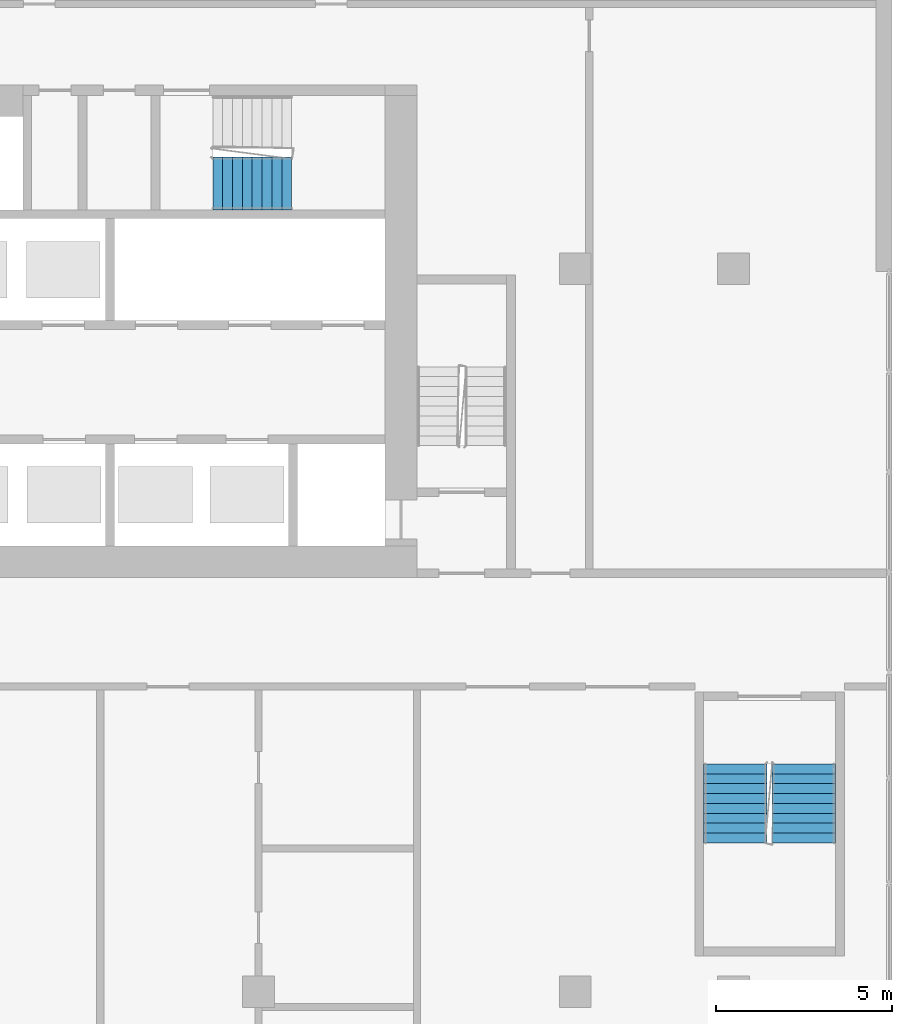
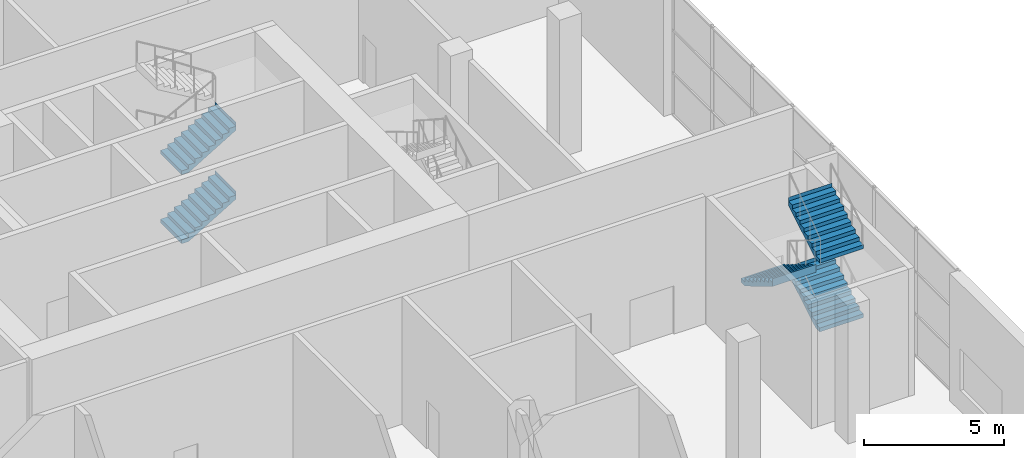
# One storey, part 22 of 27: 5 stair flights, 2 elements without a shape of their own.
"""IFC4 building model written with IfcOpenShell, lengths in metres."""

from ifc_helpers import new_model, si_unit, direction, frame, origin, place, context, subcontext, project, spatial, faceted_brep, material, type_object, element, aggregate, save


model = new_model("IFC4")

# Units and contexts
model_context = context("Model", 3, precision=1e-05, world=origin(), true_north=direction((0.0, 1.0)))
body_context = subcontext(model_context, "Body", "Model", "MODEL_VIEW")
ifc_project = project(units=[si_unit("LENGTHUNIT", "METRE"), si_unit("AREAUNIT", "SQUARE_METRE"), si_unit("VOLUMEUNIT", "CUBIC_METRE"), si_unit("PLANEANGLEUNIT", "RADIAN"), si_unit("MASSUNIT", "GRAM", prefix="KILO")], contexts=[model_context])

# Site, building, storey
site_placement = place(None, origin())
site = spatial("IfcSite", under=ifc_project, at=site_placement, CompositionType="ELEMENT")
building_placement = place(site_placement, origin())
building = spatial("IfcBuilding", under=site, at=building_placement, Name="Kajstack Hotel Tower", CompositionType="ELEMENT")
storey_placement = place(building_placement, frame((0.0, 0.0, 11.0)))
storey = spatial("IfcBuildingStorey", under=building, at=storey_placement, Name="L01", CompositionType="ELEMENT", Elevation=11.0)

# Stair, stair flights
ifc_material = material(Name="Concrete C40/50", Category="concrete")
stair_type_1 = type_object("IfcStairType", Name="Escape stair 1800", PredefinedType="HALF_TURN_STAIR", material=ifc_material)
stair_1_placement = place(storey_placement, origin())
stair_1 = element("IfcStair", 1, at=stair_1_placement, inside=storey, type_object=stair_type_1, Name="L01 stair P2", PredefinedType="HALF_TURN_STAIR")
stair_flight_type_1 = type_object("IfcStairFlightType", Name="Escape stair flight 1800", PredefinedType="STRAIGHT", material=ifc_material)
stair_flight_1_placement = place(storey_placement, frame((42.5, -6.0400390625, 1.5), z_axis=(0.0, 0.0, 1.0), x_axis=(0.0, 1.0, 0.0)))
stair_flight_1 = element("IfcStairFlight", 2, at=stair_flight_1_placement, type_object=stair_flight_type_1, Name="P2 flight 2", NumberOfRisers=9, NumberOfTreads=8, PredefinedType="STRAIGHT", RiserHeight=0.166666667, TreadLength=0.28, context=body_context, shape_type="Brep", body=[
    faceted_brep([(0.29345703125, -0.89990234375, 0.0), (2.240478515625, -0.89990234375, 1.158935546875), (2.240478515625, -0.89990234375, 1.5), (2.239990234375, -0.89990234375, 1.5), (2.239990234375, -0.89990234375, 1.333251953125), (1.9599609375, -0.89990234375, 1.333251953125), (1.9599609375, -0.89990234375, 1.166748046875), (1.679931640625, -0.89990234375, 1.166748046875), (1.679931640625, -0.89990234375, 1.0), (1.39990234375, -0.89990234375, 1.0), (1.39990234375, -0.89990234375, 0.833251953125), (1.1201171875, -0.89990234375, 0.833251953125), (1.1201171875, -0.89990234375, 0.666748046875), (0.840087890625, -0.89990234375, 0.666748046875), (0.840087890625, -0.89990234375, 0.5), (0.56005859375, -0.89990234375, 0.5), (0.56005859375, -0.89990234375, 0.333251953125), (0.280029296875, -0.89990234375, 0.333251953125), (0.280029296875, -0.89990234375, 0.166748046875), (-0.00048828125, -0.89990234375, 0.166748046875), (-0.00048828125, -0.89990234375, 0.0), (-0.00048828125, 0.89990234375, 0.0), (-0.00048828125, 0.89990234375, 0.166748046875), (0.280029296875, 0.89990234375, 0.166748046875), (0.280029296875, 0.89990234375, 0.333251953125), (0.56005859375, 0.89990234375, 0.333251953125), (0.56005859375, 0.89990234375, 0.5), (0.840087890625, 0.89990234375, 0.5), (0.840087890625, 0.89990234375, 0.666748046875), (1.1201171875, 0.89990234375, 0.666748046875), (1.1201171875, 0.89990234375, 0.833251953125), (1.39990234375, 0.89990234375, 0.833251953125), (1.39990234375, 0.89990234375, 1.0), (1.679931640625, 0.89990234375, 1.0), (1.679931640625, 0.89990234375, 1.166748046875), (1.9599609375, 0.89990234375, 1.166748046875), (1.9599609375, 0.89990234375, 1.333251953125), (2.239990234375, 0.89990234375, 1.333251953125), (2.239990234375, 0.89990234375, 1.5), (2.240478515625, 0.89990234375, 1.5), (2.240478515625, 0.89990234375, 1.158935546875), (0.29345703125, 0.89990234375, 0.0), (-0.00048828125, -0.449951171875, 0.166748046875), (-0.00048828125, 0.0, 0.166748046875), (-0.00048828125, 0.449951171875, 0.166748046875), (-0.00048828125, 0.449951171875, 0.0), (-0.00048828125, 0.0, 0.0), (-0.00048828125, -0.449951171875, 0.0), (0.280029296875, -0.449951171875, 0.166748046875), (0.280029296875, 0.0, 0.166748046875), (0.280029296875, 0.449951171875, 0.166748046875), (0.280029296875, -0.449951171875, 0.333251953125), (0.280029296875, 0.0, 0.333251953125), (0.280029296875, 0.449951171875, 0.333251953125), (0.56005859375, -0.449951171875, 0.333251953125), (0.56005859375, 0.0, 0.333251953125), (0.56005859375, 0.449951171875, 0.333251953125), (0.56005859375, -0.449951171875, 0.5), (0.56005859375, 0.0, 0.5), (0.56005859375, 0.449951171875, 0.5), (0.840087890625, -0.449951171875, 0.5), (0.840087890625, 0.0, 0.5), (0.840087890625, 0.449951171875, 0.5), (0.840087890625, -0.449951171875, 0.666748046875), (0.840087890625, 0.0, 0.666748046875), (0.840087890625, 0.449951171875, 0.666748046875), (1.1201171875, -0.449951171875, 0.666748046875), (1.1201171875, 0.0, 0.666748046875), (1.1201171875, 0.449951171875, 0.666748046875), (1.1201171875, -0.449951171875, 0.833251953125), (1.1201171875, 0.0, 0.833251953125), (1.1201171875, 0.449951171875, 0.833251953125), (1.39990234375, -0.449951171875, 0.833251953125), (1.39990234375, 0.0, 0.833251953125), (1.39990234375, 0.449951171875, 0.833251953125), (1.39990234375, -0.449951171875, 1.0), (1.39990234375, 0.0, 1.0), (1.39990234375, 0.449951171875, 1.0), (1.679931640625, -0.449951171875, 1.0), (1.679931640625, 0.0, 1.0), (1.679931640625, 0.449951171875, 1.0), (1.679931640625, -0.449951171875, 1.166748046875), (1.679931640625, 0.0, 1.166748046875), (1.679931640625, 0.449951171875, 1.166748046875), (1.9599609375, -0.449951171875, 1.166748046875), (1.9599609375, 0.0, 1.166748046875), (1.9599609375, 0.449951171875, 1.166748046875), (1.9599609375, -0.449951171875, 1.333251953125), (1.9599609375, 0.0, 1.333251953125), (1.9599609375, 0.449951171875, 1.333251953125), (2.239990234375, -0.449951171875, 1.333251953125), (2.239990234375, 0.0, 1.333251953125), (2.239990234375, 0.449951171875, 1.333251953125), (2.239990234375, -0.449951171875, 1.5), (2.239990234375, 0.0, 1.5), (2.239990234375, 0.449951171875, 1.5), (2.240478515625, -0.449951171875, 1.5), (2.240478515625, 0.0, 1.5), (2.240478515625, 0.449951171875, 1.5), (2.240478515625, -0.449951171875, 1.158935546875), (2.240478515625, 0.0, 1.158935546875), (2.240478515625, 0.449951171875, 1.158935546875), (0.29345703125, -0.449951171875, 0.0), (0.29345703125, 0.0, 0.0), (0.29345703125, 0.449951171875, 0.0)], [[[0, 1, 2, 3, 4, 5, 6, 7, 8, 9, 10, 11, 12, 13, 14, 15, 16, 17, 18, 19, 20]], [[21, 22, 23, 24, 25, 26, 27, 28, 29, 30, 31, 32, 33, 34, 35, 36, 37, 38, 39, 40, 41]], [[19, 42, 43, 44, 22, 21, 45, 46, 47, 20]], [[18, 48, 49, 50, 23, 22, 44, 43, 42, 19]], [[17, 51, 52, 53, 24, 23, 50, 49, 48, 18]], [[16, 54, 55, 56, 25, 24, 53, 52, 51, 17]], [[15, 57, 58, 59, 26, 25, 56, 55, 54, 16]], [[14, 60, 61, 62, 27, 26, 59, 58, 57, 15]], [[13, 63, 64, 65, 28, 27, 62, 61, 60, 14]], [[12, 66, 67, 68, 29, 28, 65, 64, 63, 13]], [[11, 69, 70, 71, 30, 29, 68, 67, 66, 12]], [[10, 72, 73, 74, 31, 30, 71, 70, 69, 11]], [[9, 75, 76, 77, 32, 31, 74, 73, 72, 10]], [[8, 78, 79, 80, 33, 32, 77, 76, 75, 9]], [[7, 81, 82, 83, 34, 33, 80, 79, 78, 8]], [[6, 84, 85, 86, 35, 34, 83, 82, 81, 7]], [[5, 87, 88, 89, 36, 35, 86, 85, 84, 6]], [[4, 90, 91, 92, 37, 36, 89, 88, 87, 5]], [[3, 93, 94, 95, 38, 37, 92, 91, 90, 4]], [[2, 96, 97, 98, 39, 38, 95, 94, 93, 3]], [[1, 99, 100, 101, 40, 39, 98, 97, 96, 2]], [[0, 102, 103, 104, 41, 40, 101, 100, 99, 1]], [[20, 47, 46, 45, 21, 41, 104, 103, 102, 0]]]),
])
stair_flight_2_placement = place(storey_placement, frame((40.550048828125, -3.800048828125, 3.0), z_axis=(0.0, 0.0, 1.0), x_axis=(0.0, -1.0, 0.0)))
stair_flight_2 = element("IfcStairFlight", 3, at=stair_flight_2_placement, type_object=stair_flight_type_1, Name="P2 flight 3", NumberOfRisers=9, NumberOfTreads=8, PredefinedType="STRAIGHT", RiserHeight=0.166666667, TreadLength=0.28, context=body_context, shape_type="Brep", body=[
    faceted_brep([(0.29345703125, -0.89990234375, 0.0), (2.240478515625, -0.89990234375, 1.158935546875), (2.240478515625, -0.89990234375, 1.5), (2.239990234375, -0.89990234375, 1.5), (2.239990234375, -0.89990234375, 1.333251953125), (1.9599609375, -0.89990234375, 1.333251953125), (1.9599609375, -0.89990234375, 1.166748046875), (1.679931640625, -0.89990234375, 1.166748046875), (1.679931640625, -0.89990234375, 1.0), (1.39990234375, -0.89990234375, 1.0), (1.39990234375, -0.89990234375, 0.833251953125), (1.1201171875, -0.89990234375, 0.833251953125), (1.1201171875, -0.89990234375, 0.666748046875), (0.840087890625, -0.89990234375, 0.666748046875), (0.840087890625, -0.89990234375, 0.5), (0.56005859375, -0.89990234375, 0.5), (0.56005859375, -0.89990234375, 0.333251953125), (0.280029296875, -0.89990234375, 0.333251953125), (0.280029296875, -0.89990234375, 0.166748046875), (-0.00048828125, -0.89990234375, 0.166748046875), (-0.00048828125, -0.89990234375, 0.0), (-0.00048828125, 0.89990234375, 0.0), (-0.00048828125, 0.89990234375, 0.166748046875), (0.280029296875, 0.89990234375, 0.166748046875), (0.280029296875, 0.89990234375, 0.333251953125), (0.56005859375, 0.89990234375, 0.333251953125), (0.56005859375, 0.89990234375, 0.5), (0.840087890625, 0.89990234375, 0.5), (0.840087890625, 0.89990234375, 0.666748046875), (1.1201171875, 0.89990234375, 0.666748046875), (1.1201171875, 0.89990234375, 0.833251953125), (1.39990234375, 0.89990234375, 0.833251953125), (1.39990234375, 0.89990234375, 1.0), (1.679931640625, 0.89990234375, 1.0), (1.679931640625, 0.89990234375, 1.166748046875), (1.9599609375, 0.89990234375, 1.166748046875), (1.9599609375, 0.89990234375, 1.333251953125), (2.239990234375, 0.89990234375, 1.333251953125), (2.239990234375, 0.89990234375, 1.5), (2.240478515625, 0.89990234375, 1.5), (2.240478515625, 0.89990234375, 1.158935546875), (0.29345703125, 0.89990234375, 0.0), (-0.00048828125, -0.449951171875, 0.166748046875), (-0.00048828125, 0.0, 0.166748046875), (-0.00048828125, 0.449951171875, 0.166748046875), (-0.00048828125, 0.449951171875, 0.0), (-0.00048828125, 0.0, 0.0), (-0.00048828125, -0.449951171875, 0.0), (0.280029296875, -0.449951171875, 0.166748046875), (0.280029296875, 0.0, 0.166748046875), (0.280029296875, 0.449951171875, 0.166748046875), (0.280029296875, -0.449951171875, 0.333251953125), (0.280029296875, 0.0, 0.333251953125), (0.280029296875, 0.449951171875, 0.333251953125), (0.56005859375, -0.449951171875, 0.333251953125), (0.56005859375, 0.0, 0.333251953125), (0.56005859375, 0.449951171875, 0.333251953125), (0.56005859375, -0.449951171875, 0.5), (0.56005859375, 0.0, 0.5), (0.56005859375, 0.449951171875, 0.5), (0.840087890625, -0.449951171875, 0.5), (0.840087890625, 0.0, 0.5), (0.840087890625, 0.449951171875, 0.5), (0.840087890625, -0.449951171875, 0.666748046875), (0.840087890625, 0.0, 0.666748046875), (0.840087890625, 0.449951171875, 0.666748046875), (1.1201171875, -0.449951171875, 0.666748046875), (1.1201171875, 0.0, 0.666748046875), (1.1201171875, 0.449951171875, 0.666748046875), (1.1201171875, -0.449951171875, 0.833251953125), (1.1201171875, 0.0, 0.833251953125), (1.1201171875, 0.449951171875, 0.833251953125), (1.39990234375, -0.449951171875, 0.833251953125), (1.39990234375, 0.0, 0.833251953125), (1.39990234375, 0.449951171875, 0.833251953125), (1.39990234375, -0.449951171875, 1.0), (1.39990234375, 0.0, 1.0), (1.39990234375, 0.449951171875, 1.0), (1.679931640625, -0.449951171875, 1.0), (1.679931640625, 0.0, 1.0), (1.679931640625, 0.449951171875, 1.0), (1.679931640625, -0.449951171875, 1.166748046875), (1.679931640625, 0.0, 1.166748046875), (1.679931640625, 0.449951171875, 1.166748046875), (1.9599609375, -0.449951171875, 1.166748046875), (1.9599609375, 0.0, 1.166748046875), (1.9599609375, 0.449951171875, 1.166748046875), (1.9599609375, -0.449951171875, 1.333251953125), (1.9599609375, 0.0, 1.333251953125), (1.9599609375, 0.449951171875, 1.333251953125), (2.239990234375, -0.449951171875, 1.333251953125), (2.239990234375, 0.0, 1.333251953125), (2.239990234375, 0.449951171875, 1.333251953125), (2.239990234375, -0.449951171875, 1.5), (2.239990234375, 0.0, 1.5), (2.239990234375, 0.449951171875, 1.5), (2.240478515625, -0.449951171875, 1.5), (2.240478515625, 0.0, 1.5), (2.240478515625, 0.449951171875, 1.5), (2.240478515625, -0.449951171875, 1.158935546875), (2.240478515625, 0.0, 1.158935546875), (2.240478515625, 0.449951171875, 1.158935546875), (0.29345703125, -0.449951171875, 0.0), (0.29345703125, 0.0, 0.0), (0.29345703125, 0.449951171875, 0.0)], [[[0, 1, 2, 3, 4, 5, 6, 7, 8, 9, 10, 11, 12, 13, 14, 15, 16, 17, 18, 19, 20]], [[21, 22, 23, 24, 25, 26, 27, 28, 29, 30, 31, 32, 33, 34, 35, 36, 37, 38, 39, 40, 41]], [[19, 42, 43, 44, 22, 21, 45, 46, 47, 20]], [[18, 48, 49, 50, 23, 22, 44, 43, 42, 19]], [[17, 51, 52, 53, 24, 23, 50, 49, 48, 18]], [[16, 54, 55, 56, 25, 24, 53, 52, 51, 17]], [[15, 57, 58, 59, 26, 25, 56, 55, 54, 16]], [[14, 60, 61, 62, 27, 26, 59, 58, 57, 15]], [[13, 63, 64, 65, 28, 27, 62, 61, 60, 14]], [[12, 66, 67, 68, 29, 28, 65, 64, 63, 13]], [[11, 69, 70, 71, 30, 29, 68, 67, 66, 12]], [[10, 72, 73, 74, 31, 30, 71, 70, 69, 11]], [[9, 75, 76, 77, 32, 31, 74, 73, 72, 10]], [[8, 78, 79, 80, 33, 32, 77, 76, 75, 9]], [[7, 81, 82, 83, 34, 33, 80, 79, 78, 8]], [[6, 84, 85, 86, 35, 34, 83, 82, 81, 7]], [[5, 87, 88, 89, 36, 35, 86, 85, 84, 6]], [[4, 90, 91, 92, 37, 36, 89, 88, 87, 5]], [[3, 93, 94, 95, 38, 37, 92, 91, 90, 4]], [[2, 96, 97, 98, 39, 38, 95, 94, 93, 3]], [[1, 99, 100, 101, 40, 39, 98, 97, 96, 2]], [[0, 102, 103, 104, 41, 40, 101, 100, 99, 1]], [[20, 47, 46, 45, 21, 41, 104, 103, 102, 0]]]),
])
stair_flight_3_placement = place(storey_placement, frame((42.5, -6.0400390625, 4.5), z_axis=(0.0, 0.0, 1.0), x_axis=(0.0, 1.0, 0.0)))
stair_flight_3 = element("IfcStairFlight", 4, at=stair_flight_3_placement, type_object=stair_flight_type_1, Name="P2 flight 4", NumberOfRisers=9, NumberOfTreads=8, PredefinedType="STRAIGHT", RiserHeight=0.166666667, TreadLength=0.28, context=body_context, shape_type="Brep", body=[
    faceted_brep([(0.29345703125, -0.89990234375, 0.0), (2.240478515625, -0.89990234375, 1.158935546875), (2.240478515625, -0.89990234375, 1.5), (2.239990234375, -0.89990234375, 1.5), (2.239990234375, -0.89990234375, 1.333251953125), (1.9599609375, -0.89990234375, 1.333251953125), (1.9599609375, -0.89990234375, 1.166748046875), (1.679931640625, -0.89990234375, 1.166748046875), (1.679931640625, -0.89990234375, 1.0), (1.39990234375, -0.89990234375, 1.0), (1.39990234375, -0.89990234375, 0.833251953125), (1.1201171875, -0.89990234375, 0.833251953125), (1.1201171875, -0.89990234375, 0.666748046875), (0.840087890625, -0.89990234375, 0.666748046875), (0.840087890625, -0.89990234375, 0.5), (0.56005859375, -0.89990234375, 0.5), (0.56005859375, -0.89990234375, 0.333251953125), (0.280029296875, -0.89990234375, 0.333251953125), (0.280029296875, -0.89990234375, 0.166748046875), (-0.00048828125, -0.89990234375, 0.166748046875), (-0.00048828125, -0.89990234375, 0.0), (-0.00048828125, 0.89990234375, 0.0), (-0.00048828125, 0.89990234375, 0.166748046875), (0.280029296875, 0.89990234375, 0.166748046875), (0.280029296875, 0.89990234375, 0.333251953125), (0.56005859375, 0.89990234375, 0.333251953125), (0.56005859375, 0.89990234375, 0.5), (0.840087890625, 0.89990234375, 0.5), (0.840087890625, 0.89990234375, 0.666748046875), (1.1201171875, 0.89990234375, 0.666748046875), (1.1201171875, 0.89990234375, 0.833251953125), (1.39990234375, 0.89990234375, 0.833251953125), (1.39990234375, 0.89990234375, 1.0), (1.679931640625, 0.89990234375, 1.0), (1.679931640625, 0.89990234375, 1.166748046875), (1.9599609375, 0.89990234375, 1.166748046875), (1.9599609375, 0.89990234375, 1.333251953125), (2.239990234375, 0.89990234375, 1.333251953125), (2.239990234375, 0.89990234375, 1.5), (2.240478515625, 0.89990234375, 1.5), (2.240478515625, 0.89990234375, 1.158935546875), (0.29345703125, 0.89990234375, 0.0), (-0.00048828125, -0.449951171875, 0.166748046875), (-0.00048828125, 0.0, 0.166748046875), (-0.00048828125, 0.449951171875, 0.166748046875), (-0.00048828125, 0.449951171875, 0.0), (-0.00048828125, 0.0, 0.0), (-0.00048828125, -0.449951171875, 0.0), (0.280029296875, -0.449951171875, 0.166748046875), (0.280029296875, 0.0, 0.166748046875), (0.280029296875, 0.449951171875, 0.166748046875), (0.280029296875, -0.449951171875, 0.333251953125), (0.280029296875, 0.0, 0.333251953125), (0.280029296875, 0.449951171875, 0.333251953125), (0.56005859375, -0.449951171875, 0.333251953125), (0.56005859375, 0.0, 0.333251953125), (0.56005859375, 0.449951171875, 0.333251953125), (0.56005859375, -0.449951171875, 0.5), (0.56005859375, 0.0, 0.5), (0.56005859375, 0.449951171875, 0.5), (0.840087890625, -0.449951171875, 0.5), (0.840087890625, 0.0, 0.5), (0.840087890625, 0.449951171875, 0.5), (0.840087890625, -0.449951171875, 0.666748046875), (0.840087890625, 0.0, 0.666748046875), (0.840087890625, 0.449951171875, 0.666748046875), (1.1201171875, -0.449951171875, 0.666748046875), (1.1201171875, 0.0, 0.666748046875), (1.1201171875, 0.449951171875, 0.666748046875), (1.1201171875, -0.449951171875, 0.833251953125), (1.1201171875, 0.0, 0.833251953125), (1.1201171875, 0.449951171875, 0.833251953125), (1.39990234375, -0.449951171875, 0.833251953125), (1.39990234375, 0.0, 0.833251953125), (1.39990234375, 0.449951171875, 0.833251953125), (1.39990234375, -0.449951171875, 1.0), (1.39990234375, 0.0, 1.0), (1.39990234375, 0.449951171875, 1.0), (1.679931640625, -0.449951171875, 1.0), (1.679931640625, 0.0, 1.0), (1.679931640625, 0.449951171875, 1.0), (1.679931640625, -0.449951171875, 1.166748046875), (1.679931640625, 0.0, 1.166748046875), (1.679931640625, 0.449951171875, 1.166748046875), (1.9599609375, -0.449951171875, 1.166748046875), (1.9599609375, 0.0, 1.166748046875), (1.9599609375, 0.449951171875, 1.166748046875), (1.9599609375, -0.449951171875, 1.333251953125), (1.9599609375, 0.0, 1.333251953125), (1.9599609375, 0.449951171875, 1.333251953125), (2.239990234375, -0.449951171875, 1.333251953125), (2.239990234375, 0.0, 1.333251953125), (2.239990234375, 0.449951171875, 1.333251953125), (2.239990234375, -0.449951171875, 1.5), (2.239990234375, 0.0, 1.5), (2.239990234375, 0.449951171875, 1.5), (2.240478515625, -0.449951171875, 1.5), (2.240478515625, 0.0, 1.5), (2.240478515625, 0.449951171875, 1.5), (2.240478515625, -0.449951171875, 1.158935546875), (2.240478515625, 0.0, 1.158935546875), (2.240478515625, 0.449951171875, 1.158935546875), (0.29345703125, -0.449951171875, 0.0), (0.29345703125, 0.0, 0.0), (0.29345703125, 0.449951171875, 0.0)], [[[0, 1, 2, 3, 4, 5, 6, 7, 8, 9, 10, 11, 12, 13, 14, 15, 16, 17, 18, 19, 20]], [[21, 22, 23, 24, 25, 26, 27, 28, 29, 30, 31, 32, 33, 34, 35, 36, 37, 38, 39, 40, 41]], [[19, 42, 43, 44, 22, 21, 45, 46, 47, 20]], [[18, 48, 49, 50, 23, 22, 44, 43, 42, 19]], [[17, 51, 52, 53, 24, 23, 50, 49, 48, 18]], [[16, 54, 55, 56, 25, 24, 53, 52, 51, 17]], [[15, 57, 58, 59, 26, 25, 56, 55, 54, 16]], [[14, 60, 61, 62, 27, 26, 59, 58, 57, 15]], [[13, 63, 64, 65, 28, 27, 62, 61, 60, 14]], [[12, 66, 67, 68, 29, 28, 65, 64, 63, 13]], [[11, 69, 70, 71, 30, 29, 68, 67, 66, 12]], [[10, 72, 73, 74, 31, 30, 71, 70, 69, 11]], [[9, 75, 76, 77, 32, 31, 74, 73, 72, 10]], [[8, 78, 79, 80, 33, 32, 77, 76, 75, 9]], [[7, 81, 82, 83, 34, 33, 80, 79, 78, 8]], [[6, 84, 85, 86, 35, 34, 83, 82, 81, 7]], [[5, 87, 88, 89, 36, 35, 86, 85, 84, 6]], [[4, 90, 91, 92, 37, 36, 89, 88, 87, 5]], [[3, 93, 94, 95, 38, 37, 92, 91, 90, 4]], [[2, 96, 97, 98, 39, 38, 95, 94, 93, 3]], [[1, 99, 100, 101, 40, 39, 98, 97, 96, 2]], [[0, 102, 103, 104, 41, 40, 101, 100, 99, 1]], [[20, 47, 46, 45, 21, 41, 104, 103, 102, 0]]]),
])
aggregate(stair_1, [stair_flight_1, stair_flight_2, stair_flight_3])

stair_type_2 = type_object("IfcStairType", Name="Exit stair 1500", PredefinedType="HALF_TURN_STAIR", material=ifc_material)
stair_2_placement = place(storey_placement, origin())
stair_2 = element("IfcStair", 5, at=stair_2_placement, inside=storey, type_object=stair_type_2, Name="L01 stair E3", PredefinedType="HALF_TURN_STAIR")
stair_flight_type_2 = type_object("IfcStairFlightType", Name="Exit stair flight 1500", PredefinedType="STRAIGHT", material=ifc_material)
stair_flight_4_placement = place(storey_placement, frame((25.699951171875, 12.699951171875, 0.0), z_axis=(0.0, 0.0, 1.0), x_axis=(1.0, 0.0, 0.0)))
stair_flight_4 = element("IfcStairFlight", 6, at=stair_flight_4_placement, type_object=stair_flight_type_2, Name="E3 flight 1", NumberOfRisers=9, NumberOfTreads=8, PredefinedType="STRAIGHT", RiserHeight=0.166666667, TreadLength=0.28, context=body_context, shape_type="Brep", body=[
    faceted_brep([(0.29345703125, -0.75, 0.0), (2.240478515625, -0.75, 1.158935546875), (2.240478515625, -0.75, 1.5), (2.239990234375, -0.75, 1.5), (2.239990234375, -0.75, 1.333251953125), (1.9599609375, -0.75, 1.333251953125), (1.9599609375, -0.75, 1.166748046875), (1.679931640625, -0.75, 1.166748046875), (1.679931640625, -0.75, 1.0), (1.39990234375, -0.75, 1.0), (1.39990234375, -0.75, 0.833251953125), (1.1201171875, -0.75, 0.833251953125), (1.1201171875, -0.75, 0.666748046875), (0.840087890625, -0.75, 0.666748046875), (0.840087890625, -0.75, 0.5), (0.56005859375, -0.75, 0.5), (0.56005859375, -0.75, 0.333251953125), (0.280029296875, -0.75, 0.333251953125), (0.280029296875, -0.75, 0.166748046875), (-0.00048828125, -0.75, 0.166748046875), (-0.00048828125, -0.75, 0.0), (-0.00048828125, 0.75, 0.0), (-0.00048828125, 0.75, 0.166748046875), (0.280029296875, 0.75, 0.166748046875), (0.280029296875, 0.75, 0.333251953125), (0.56005859375, 0.75, 0.333251953125), (0.56005859375, 0.75, 0.5), (0.840087890625, 0.75, 0.5), (0.840087890625, 0.75, 0.666748046875), (1.1201171875, 0.75, 0.666748046875), (1.1201171875, 0.75, 0.833251953125), (1.39990234375, 0.75, 0.833251953125), (1.39990234375, 0.75, 1.0), (1.679931640625, 0.75, 1.0), (1.679931640625, 0.75, 1.166748046875), (1.9599609375, 0.75, 1.166748046875), (1.9599609375, 0.75, 1.333251953125), (2.239990234375, 0.75, 1.333251953125), (2.239990234375, 0.75, 1.5), (2.240478515625, 0.75, 1.5), (2.240478515625, 0.75, 1.158935546875), (0.29345703125, 0.75, 0.0), (-0.00048828125, -0.375, 0.166748046875), (-0.00048828125, 0.0, 0.166748046875), (-0.00048828125, 0.375, 0.166748046875), (-0.00048828125, 0.375, 0.0), (-0.00048828125, 0.0, 0.0), (-0.00048828125, -0.375, 0.0), (0.280029296875, -0.375, 0.166748046875), (0.280029296875, 0.0, 0.166748046875), (0.280029296875, 0.375, 0.166748046875), (0.280029296875, -0.375, 0.333251953125), (0.280029296875, 0.0, 0.333251953125), (0.280029296875, 0.375, 0.333251953125), (0.56005859375, -0.375, 0.333251953125), (0.56005859375, 0.0, 0.333251953125), (0.56005859375, 0.375, 0.333251953125), (0.56005859375, -0.375, 0.5), (0.56005859375, 0.0, 0.5), (0.56005859375, 0.375, 0.5), (0.840087890625, -0.375, 0.5), (0.840087890625, 0.0, 0.5), (0.840087890625, 0.375, 0.5), (0.840087890625, -0.375, 0.666748046875), (0.840087890625, 0.0, 0.666748046875), (0.840087890625, 0.375, 0.666748046875), (1.1201171875, -0.375, 0.666748046875), (1.1201171875, 0.0, 0.666748046875), (1.1201171875, 0.375, 0.666748046875), (1.1201171875, -0.375, 0.833251953125), (1.1201171875, 0.0, 0.833251953125), (1.1201171875, 0.375, 0.833251953125), (1.39990234375, -0.375, 0.833251953125), (1.39990234375, 0.0, 0.833251953125), (1.39990234375, 0.375, 0.833251953125), (1.39990234375, -0.375, 1.0), (1.39990234375, 0.0, 1.0), (1.39990234375, 0.375, 1.0), (1.679931640625, -0.375, 1.0), (1.679931640625, 0.0, 1.0), (1.679931640625, 0.375, 1.0), (1.679931640625, -0.375, 1.166748046875), (1.679931640625, 0.0, 1.166748046875), (1.679931640625, 0.375, 1.166748046875), (1.9599609375, -0.375, 1.166748046875), (1.9599609375, 0.0, 1.166748046875), (1.9599609375, 0.375, 1.166748046875), (1.9599609375, -0.375, 1.333251953125), (1.9599609375, 0.0, 1.333251953125), (1.9599609375, 0.375, 1.333251953125), (2.239990234375, -0.375, 1.333251953125), (2.239990234375, 0.0, 1.333251953125), (2.239990234375, 0.375, 1.333251953125), (2.239990234375, -0.375, 1.5), (2.239990234375, 0.0, 1.5), (2.239990234375, 0.375, 1.5), (2.240478515625, -0.375, 1.5), (2.240478515625, 0.0, 1.5), (2.240478515625, 0.375, 1.5), (2.240478515625, -0.375, 1.158935546875), (2.240478515625, 0.0, 1.158935546875), (2.240478515625, 0.375, 1.158935546875), (0.29345703125, -0.375, 0.0), (0.29345703125, 0.0, 0.0), (0.29345703125, 0.375, 0.0)], [[[0, 1, 2, 3, 4, 5, 6, 7, 8, 9, 10, 11, 12, 13, 14, 15, 16, 17, 18, 19, 20]], [[21, 22, 23, 24, 25, 26, 27, 28, 29, 30, 31, 32, 33, 34, 35, 36, 37, 38, 39, 40, 41]], [[19, 42, 43, 44, 22, 21, 45, 46, 47, 20]], [[18, 48, 49, 50, 23, 22, 44, 43, 42, 19]], [[17, 51, 52, 53, 24, 23, 50, 49, 48, 18]], [[16, 54, 55, 56, 25, 24, 53, 52, 51, 17]], [[15, 57, 58, 59, 26, 25, 56, 55, 54, 16]], [[14, 60, 61, 62, 27, 26, 59, 58, 57, 15]], [[13, 63, 64, 65, 28, 27, 62, 61, 60, 14]], [[12, 66, 67, 68, 29, 28, 65, 64, 63, 13]], [[11, 69, 70, 71, 30, 29, 68, 67, 66, 12]], [[10, 72, 73, 74, 31, 30, 71, 70, 69, 11]], [[9, 75, 76, 77, 32, 31, 74, 73, 72, 10]], [[8, 78, 79, 80, 33, 32, 77, 76, 75, 9]], [[7, 81, 82, 83, 34, 33, 80, 79, 78, 8]], [[6, 84, 85, 86, 35, 34, 83, 82, 81, 7]], [[5, 87, 88, 89, 36, 35, 86, 85, 84, 6]], [[4, 90, 91, 92, 37, 36, 89, 88, 87, 5]], [[3, 93, 94, 95, 38, 37, 92, 91, 90, 4]], [[2, 96, 97, 98, 39, 38, 95, 94, 93, 3]], [[1, 99, 100, 101, 40, 39, 98, 97, 96, 2]], [[0, 102, 103, 104, 41, 40, 101, 100, 99, 1]], [[20, 47, 46, 45, 21, 41, 104, 103, 102, 0]]]),
])
stair_flight_5_placement = place(storey_placement, frame((25.699951171875, 12.699951171875, 3.0), z_axis=(0.0, 0.0, 1.0), x_axis=(1.0, 0.0, 0.0)))
stair_flight_5 = element("IfcStairFlight", 7, at=stair_flight_5_placement, type_object=stair_flight_type_2, Name="E3 flight 3", NumberOfRisers=9, NumberOfTreads=8, PredefinedType="STRAIGHT", RiserHeight=0.166666667, TreadLength=0.28, context=body_context, shape_type="Brep", body=[
    faceted_brep([(0.29345703125, -0.75, 0.0), (2.240478515625, -0.75, 1.158935546875), (2.240478515625, -0.75, 1.5), (2.239990234375, -0.75, 1.5), (2.239990234375, -0.75, 1.333251953125), (1.9599609375, -0.75, 1.333251953125), (1.9599609375, -0.75, 1.166748046875), (1.679931640625, -0.75, 1.166748046875), (1.679931640625, -0.75, 1.0), (1.39990234375, -0.75, 1.0), (1.39990234375, -0.75, 0.833251953125), (1.1201171875, -0.75, 0.833251953125), (1.1201171875, -0.75, 0.666748046875), (0.840087890625, -0.75, 0.666748046875), (0.840087890625, -0.75, 0.5), (0.56005859375, -0.75, 0.5), (0.56005859375, -0.75, 0.333251953125), (0.280029296875, -0.75, 0.333251953125), (0.280029296875, -0.75, 0.166748046875), (-0.00048828125, -0.75, 0.166748046875), (-0.00048828125, -0.75, 0.0), (-0.00048828125, 0.75, 0.0), (-0.00048828125, 0.75, 0.166748046875), (0.280029296875, 0.75, 0.166748046875), (0.280029296875, 0.75, 0.333251953125), (0.56005859375, 0.75, 0.333251953125), (0.56005859375, 0.75, 0.5), (0.840087890625, 0.75, 0.5), (0.840087890625, 0.75, 0.666748046875), (1.1201171875, 0.75, 0.666748046875), (1.1201171875, 0.75, 0.833251953125), (1.39990234375, 0.75, 0.833251953125), (1.39990234375, 0.75, 1.0), (1.679931640625, 0.75, 1.0), (1.679931640625, 0.75, 1.166748046875), (1.9599609375, 0.75, 1.166748046875), (1.9599609375, 0.75, 1.333251953125), (2.239990234375, 0.75, 1.333251953125), (2.239990234375, 0.75, 1.5), (2.240478515625, 0.75, 1.5), (2.240478515625, 0.75, 1.158935546875), (0.29345703125, 0.75, 0.0), (-0.00048828125, -0.375, 0.166748046875), (-0.00048828125, 0.0, 0.166748046875), (-0.00048828125, 0.375, 0.166748046875), (-0.00048828125, 0.375, 0.0), (-0.00048828125, 0.0, 0.0), (-0.00048828125, -0.375, 0.0), (0.280029296875, -0.375, 0.166748046875), (0.280029296875, 0.0, 0.166748046875), (0.280029296875, 0.375, 0.166748046875), (0.280029296875, -0.375, 0.333251953125), (0.280029296875, 0.0, 0.333251953125), (0.280029296875, 0.375, 0.333251953125), (0.56005859375, -0.375, 0.333251953125), (0.56005859375, 0.0, 0.333251953125), (0.56005859375, 0.375, 0.333251953125), (0.56005859375, -0.375, 0.5), (0.56005859375, 0.0, 0.5), (0.56005859375, 0.375, 0.5), (0.840087890625, -0.375, 0.5), (0.840087890625, 0.0, 0.5), (0.840087890625, 0.375, 0.5), (0.840087890625, -0.375, 0.666748046875), (0.840087890625, 0.0, 0.666748046875), (0.840087890625, 0.375, 0.666748046875), (1.1201171875, -0.375, 0.666748046875), (1.1201171875, 0.0, 0.666748046875), (1.1201171875, 0.375, 0.666748046875), (1.1201171875, -0.375, 0.833251953125), (1.1201171875, 0.0, 0.833251953125), (1.1201171875, 0.375, 0.833251953125), (1.39990234375, -0.375, 0.833251953125), (1.39990234375, 0.0, 0.833251953125), (1.39990234375, 0.375, 0.833251953125), (1.39990234375, -0.375, 1.0), (1.39990234375, 0.0, 1.0), (1.39990234375, 0.375, 1.0), (1.679931640625, -0.375, 1.0), (1.679931640625, 0.0, 1.0), (1.679931640625, 0.375, 1.0), (1.679931640625, -0.375, 1.166748046875), (1.679931640625, 0.0, 1.166748046875), (1.679931640625, 0.375, 1.166748046875), (1.9599609375, -0.375, 1.166748046875), (1.9599609375, 0.0, 1.166748046875), (1.9599609375, 0.375, 1.166748046875), (1.9599609375, -0.375, 1.333251953125), (1.9599609375, 0.0, 1.333251953125), (1.9599609375, 0.375, 1.333251953125), (2.239990234375, -0.375, 1.333251953125), (2.239990234375, 0.0, 1.333251953125), (2.239990234375, 0.375, 1.333251953125), (2.239990234375, -0.375, 1.5), (2.239990234375, 0.0, 1.5), (2.239990234375, 0.375, 1.5), (2.240478515625, -0.375, 1.5), (2.240478515625, 0.0, 1.5), (2.240478515625, 0.375, 1.5), (2.240478515625, -0.375, 1.158935546875), (2.240478515625, 0.0, 1.158935546875), (2.240478515625, 0.375, 1.158935546875), (0.29345703125, -0.375, 0.0), (0.29345703125, 0.0, 0.0), (0.29345703125, 0.375, 0.0)], [[[0, 1, 2, 3, 4, 5, 6, 7, 8, 9, 10, 11, 12, 13, 14, 15, 16, 17, 18, 19, 20]], [[21, 22, 23, 24, 25, 26, 27, 28, 29, 30, 31, 32, 33, 34, 35, 36, 37, 38, 39, 40, 41]], [[19, 42, 43, 44, 22, 21, 45, 46, 47, 20]], [[18, 48, 49, 50, 23, 22, 44, 43, 42, 19]], [[17, 51, 52, 53, 24, 23, 50, 49, 48, 18]], [[16, 54, 55, 56, 25, 24, 53, 52, 51, 17]], [[15, 57, 58, 59, 26, 25, 56, 55, 54, 16]], [[14, 60, 61, 62, 27, 26, 59, 58, 57, 15]], [[13, 63, 64, 65, 28, 27, 62, 61, 60, 14]], [[12, 66, 67, 68, 29, 28, 65, 64, 63, 13]], [[11, 69, 70, 71, 30, 29, 68, 67, 66, 12]], [[10, 72, 73, 74, 31, 30, 71, 70, 69, 11]], [[9, 75, 76, 77, 32, 31, 74, 73, 72, 10]], [[8, 78, 79, 80, 33, 32, 77, 76, 75, 9]], [[7, 81, 82, 83, 34, 33, 80, 79, 78, 8]], [[6, 84, 85, 86, 35, 34, 83, 82, 81, 7]], [[5, 87, 88, 89, 36, 35, 86, 85, 84, 6]], [[4, 90, 91, 92, 37, 36, 89, 88, 87, 5]], [[3, 93, 94, 95, 38, 37, 92, 91, 90, 4]], [[2, 96, 97, 98, 39, 38, 95, 94, 93, 3]], [[1, 99, 100, 101, 40, 39, 98, 97, 96, 2]], [[0, 102, 103, 104, 41, 40, 101, 100, 99, 1]], [[20, 47, 46, 45, 21, 41, 104, 103, 102, 0]]]),
])
aggregate(stair_2, [stair_flight_4, stair_flight_5])

save(model, "model.ifc")
